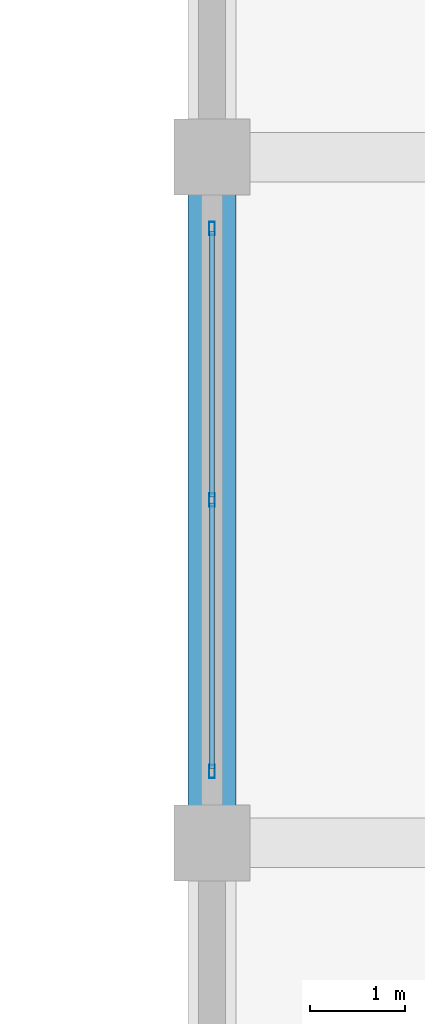
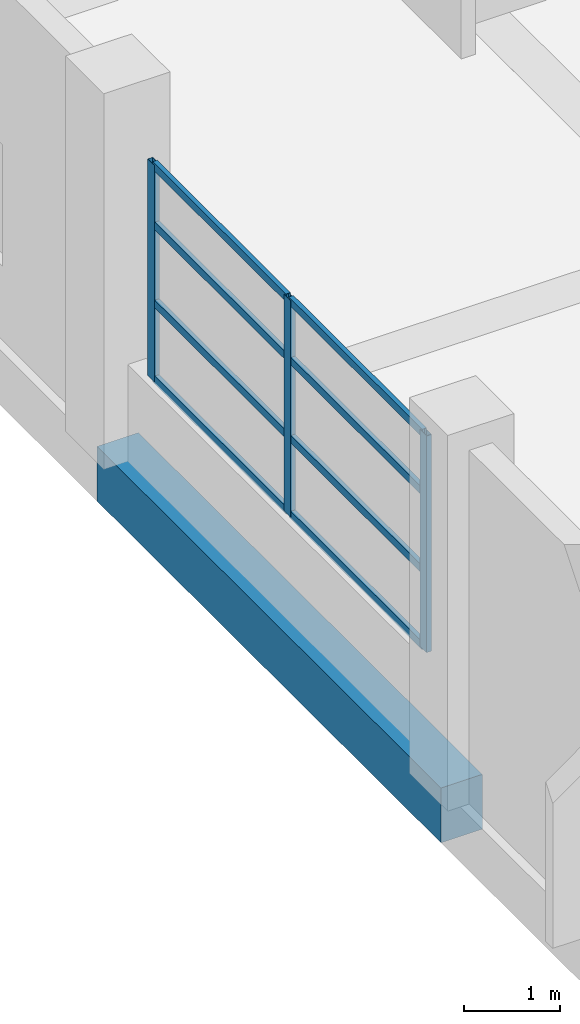
# One storey, part 44 of 140: 11 members, 1 beam, 1 element without a shape of its own.
"""IFC4 building model written with IfcOpenShell, lengths in metres."""

from ifc_helpers import new_model, si_unit, direction, frame, origin, origin_2d, place, context, subcontext, project, spatial, rectangle, hollow_rectangle, extrude, material, layer, layer_set, material_profile, profile_set, type_object, element, aggregate, save


model = new_model("IFC4")

# Units and contexts
model_context = context("Model", 3, precision=1e-05, world=origin(), true_north=direction((0.0, 1.0)))
body_context = subcontext(model_context, "Body", "Model", "MODEL_VIEW")
ifc_project = project(units=[si_unit("LENGTHUNIT", "METRE"), si_unit("AREAUNIT", "SQUARE_METRE"), si_unit("VOLUMEUNIT", "CUBIC_METRE"), si_unit("PLANEANGLEUNIT", "RADIAN"), si_unit("MASSUNIT", "GRAM", prefix="KILO")], contexts=[model_context])

# Site, building, storey
site_placement = place(None, origin())
site = spatial("IfcSite", under=ifc_project, at=site_placement, CompositionType="ELEMENT")
building_placement = place(site_placement, origin())
building = spatial("IfcBuilding", under=site, at=building_placement, Name="Seraya Terrace Polytechnic", CompositionType="ELEMENT")
storey_placement = place(building_placement, frame((0.0, 0.0, 9.60009765625)))
storey = spatial("IfcBuildingStorey", under=building, at=storey_placement, Name="L02", CompositionType="ELEMENT", Elevation=9.60009765625)

# Beam
ifc_material_1 = material(Name="Concrete C40/50", Category="concrete")
ifc_material_profile_1 = material_profile(ifc_material_1, rectangle(XDim=0.5, YDim=0.699951171875, at=origin_2d()), Name="RC 500x700")
ifc_profile_set_1 = profile_set([ifc_material_profile_1], Name="Concrete C40/50")
beam_type = type_object("IfcBeamType", Name="BM-07", PredefinedType="BEAM", material=ifc_profile_set_1)
beam_placement = place(storey_placement, frame((79.199951171875, 36.0, -0.35009765625), z_axis=(0.0, 1.0, 0.0), x_axis=(-1.0, 0.0, 0.0)))
element("IfcBeam", 1, at=beam_placement, inside=storey, type_object=beam_type, Name="Beam BM-07 L02 Y (79.2, 36.0..43.2)", PredefinedType="BEAM", context=body_context, shape_type="SweptSolid", body=[
    extrude(rectangle(XDim=0.5, YDim=0.699951171875, at=origin_2d()), origin(), (0.0, 0.0, 1.0), 7.199951171875),
])

# Curtain wall, members
ifc_material_2 = material(Name="Anodised aluminium EN AW-6063 T6", Category="aluminium")
ifc_layer = layer(ifc_material_2, 0.179931640625, Name="CW-09")
ifc_layer_set = layer_set([ifc_layer], Name="Anodised aluminium EN AW-6063 T6")
curtain_wall_type = type_object("IfcCurtainWallType", Name="CW-09", PredefinedType="NOTDEFINED", material=ifc_layer_set)
curtain_wall_placement = place(storey_placement, origin())
curtain_wall = element("IfcCurtainWall", 2, at=curtain_wall_placement, inside=storey, type_object=curtain_wall_type, Name="Unitised curtain wall CW-09 (CW-L02-081)", PredefinedType="NOTDEFINED")
ifc_material_profile_2 = material_profile(ifc_material_2, hollow_rectangle(XDim=0.06005859375, YDim=0.139892578125, WallThickness=0.00341796875, at=origin_2d()), Name="RHS 140x60x3.5")
ifc_profile_set_2 = profile_set([ifc_material_profile_2], Name="Anodised aluminium EN AW-6063 T6")
member_type_1 = type_object("IfcMemberType", Name="CWM-03", PredefinedType="MULLION", material=ifc_profile_set_2)
member_1_placement = place(storey_placement, frame((79.199951171875, 36.75, 1.239990234375), z_axis=(0.0, 0.0, 1.0), x_axis=(-1.0, 0.0, 0.0)))
member_1 = element("IfcMember", 3, at=member_1_placement, type_object=member_type_1, Name="CW-09 mullion 1", PredefinedType="MULLION", context=body_context, shape_type="SweptSolid", body=[
    extrude(hollow_rectangle(XDim=0.06005859375, YDim=0.139892578125, WallThickness=0.00341796875, at=origin_2d()), origin(), (0.0, 0.0, 1.0), 2.77001953125),
])
member_2_placement = place(storey_placement, frame((79.199951171875, 39.60009765625, 1.239990234375), z_axis=(0.0, 0.0, 1.0), x_axis=(-1.0, 0.0, 0.0)))
member_2 = element("IfcMember", 4, at=member_2_placement, type_object=member_type_1, Name="CW-09 mullion 2", PredefinedType="MULLION", context=body_context, shape_type="SweptSolid", body=[
    extrude(hollow_rectangle(XDim=0.06005859375, YDim=0.139892578125, WallThickness=0.00341796875, at=origin_2d()), origin(), (0.0, 0.0, 1.0), 2.77001953125),
])
member_3_placement = place(storey_placement, frame((79.199951171875, 42.449951171875, 1.239990234375), z_axis=(0.0, 0.0, 1.0), x_axis=(-1.0, 0.0, 0.0)))
member_3 = element("IfcMember", 5, at=member_3_placement, type_object=member_type_1, Name="CW-09 mullion 3", PredefinedType="MULLION", context=body_context, shape_type="SweptSolid", body=[
    extrude(hollow_rectangle(XDim=0.06005859375, YDim=0.139892578125, WallThickness=0.00341796875, at=origin_2d()), origin(), (0.0, 0.0, 1.0), 2.77001953125),
])
ifc_material_profile_3 = material_profile(ifc_material_2, hollow_rectangle(XDim=0.054931640625, YDim=0.10009765625, WallThickness=0.0029296875, at=origin_2d()), Name="RHS 100x55x3.0")
ifc_profile_set_3 = profile_set([ifc_material_profile_3], Name="Anodised aluminium EN AW-6063 T6")
member_type_2 = type_object("IfcMemberType", Name="CWT-03", PredefinedType="USERDEFINED", material=ifc_profile_set_3)
member_4_placement = place(storey_placement, frame((79.199951171875, 36.780029296875, 1.267333984375), z_axis=(0.0, 1.0, 0.0), x_axis=(-1.0, 0.0, 0.0)))
member_4 = element("IfcMember", 6, at=member_4_placement, type_object=member_type_2, Name="CW-09 transom 1.1", ObjectType="TRANSOM", PredefinedType="USERDEFINED", context=body_context, shape_type="SweptSolid", body=[
    extrude(hollow_rectangle(XDim=0.054931640625, YDim=0.10009765625, WallThickness=0.0029296875, at=origin_2d()), origin(), (0.0, 0.0, 1.0), 2.7900390625),
])
member_5_placement = place(storey_placement, frame((79.199951171875, 36.780029296875, 2.237060546875), z_axis=(0.0, 1.0, 0.0), x_axis=(-1.0, 0.0, 0.0)))
member_5 = element("IfcMember", 7, at=member_5_placement, type_object=member_type_2, Name="CW-09 transom 1.2", ObjectType="TRANSOM", PredefinedType="USERDEFINED", context=body_context, shape_type="SweptSolid", body=[
    extrude(hollow_rectangle(XDim=0.054931640625, YDim=0.10009765625, WallThickness=0.0029296875, at=origin_2d()), origin(), (0.0, 0.0, 1.0), 2.7900390625),
])
member_6_placement = place(storey_placement, frame((79.199951171875, 36.780029296875, 3.234375), z_axis=(0.0, 1.0, 0.0), x_axis=(-1.0, 0.0, 0.0)))
member_6 = element("IfcMember", 8, at=member_6_placement, type_object=member_type_2, Name="CW-09 transom 1.3", ObjectType="TRANSOM", PredefinedType="USERDEFINED", context=body_context, shape_type="SweptSolid", body=[
    extrude(hollow_rectangle(XDim=0.054931640625, YDim=0.10009765625, WallThickness=0.0029296875, at=origin_2d()), origin(), (0.0, 0.0, 1.0), 2.7900390625),
])
member_7_placement = place(storey_placement, frame((79.199951171875, 36.780029296875, 3.982421875), z_axis=(0.0, 1.0, 0.0), x_axis=(-1.0, 0.0, 0.0)))
member_7 = element("IfcMember", 9, at=member_7_placement, type_object=member_type_2, Name="CW-09 transom 1.4", ObjectType="TRANSOM", PredefinedType="USERDEFINED", context=body_context, shape_type="SweptSolid", body=[
    extrude(hollow_rectangle(XDim=0.054931640625, YDim=0.10009765625, WallThickness=0.0029296875, at=origin_2d()), origin(), (0.0, 0.0, 1.0), 2.7900390625),
])
member_8_placement = place(storey_placement, frame((79.199951171875, 39.6298828125, 1.267333984375), z_axis=(0.0, 1.0, 0.0), x_axis=(-1.0, 0.0, 0.0)))
member_8 = element("IfcMember", 10, at=member_8_placement, type_object=member_type_2, Name="CW-09 transom 2.1", ObjectType="TRANSOM", PredefinedType="USERDEFINED", context=body_context, shape_type="SweptSolid", body=[
    extrude(hollow_rectangle(XDim=0.054931640625, YDim=0.10009765625, WallThickness=0.0029296875, at=origin_2d()), origin(), (0.0, 0.0, 1.0), 2.7900390625),
])
member_9_placement = place(storey_placement, frame((79.199951171875, 39.6298828125, 2.237060546875), z_axis=(0.0, 1.0, 0.0), x_axis=(-1.0, 0.0, 0.0)))
member_9 = element("IfcMember", 11, at=member_9_placement, type_object=member_type_2, Name="CW-09 transom 2.2", ObjectType="TRANSOM", PredefinedType="USERDEFINED", context=body_context, shape_type="SweptSolid", body=[
    extrude(hollow_rectangle(XDim=0.054931640625, YDim=0.10009765625, WallThickness=0.0029296875, at=origin_2d()), origin(), (0.0, 0.0, 1.0), 2.7900390625),
])
member_10_placement = place(storey_placement, frame((79.199951171875, 39.6298828125, 3.234375), z_axis=(0.0, 1.0, 0.0), x_axis=(-1.0, 0.0, 0.0)))
member_10 = element("IfcMember", 12, at=member_10_placement, type_object=member_type_2, Name="CW-09 transom 2.3", ObjectType="TRANSOM", PredefinedType="USERDEFINED", context=body_context, shape_type="SweptSolid", body=[
    extrude(hollow_rectangle(XDim=0.054931640625, YDim=0.10009765625, WallThickness=0.0029296875, at=origin_2d()), origin(), (0.0, 0.0, 1.0), 2.7900390625),
])
member_11_placement = place(storey_placement, frame((79.199951171875, 39.6298828125, 3.982421875), z_axis=(0.0, 1.0, 0.0), x_axis=(-1.0, 0.0, 0.0)))
member_11 = element("IfcMember", 13, at=member_11_placement, type_object=member_type_2, Name="CW-09 transom 2.4", ObjectType="TRANSOM", PredefinedType="USERDEFINED", context=body_context, shape_type="SweptSolid", body=[
    extrude(hollow_rectangle(XDim=0.054931640625, YDim=0.10009765625, WallThickness=0.0029296875, at=origin_2d()), origin(), (0.0, 0.0, 1.0), 2.7900390625),
])
aggregate(curtain_wall, [member_1, member_2, member_3, member_4, member_5, member_6, member_7, member_8, member_9, member_10, member_11])

save(model, "model.ifc")
